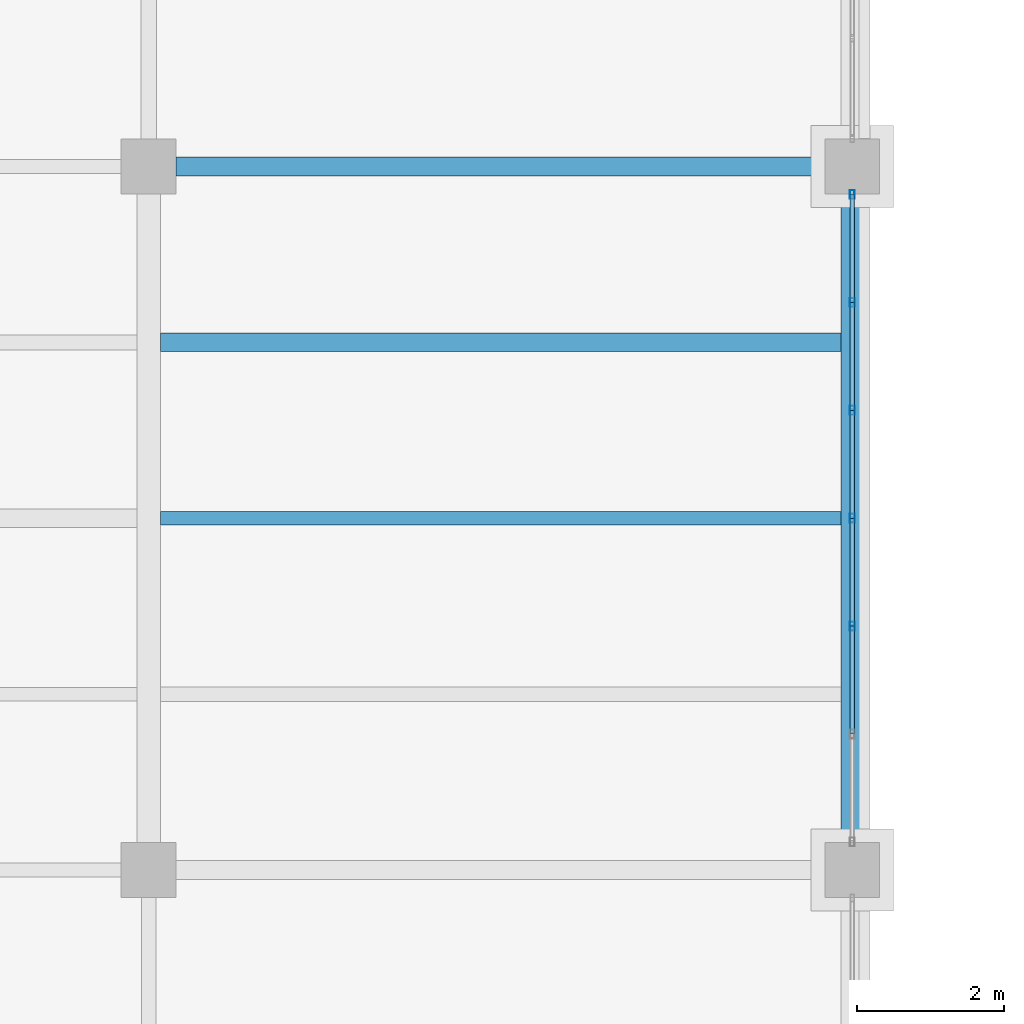
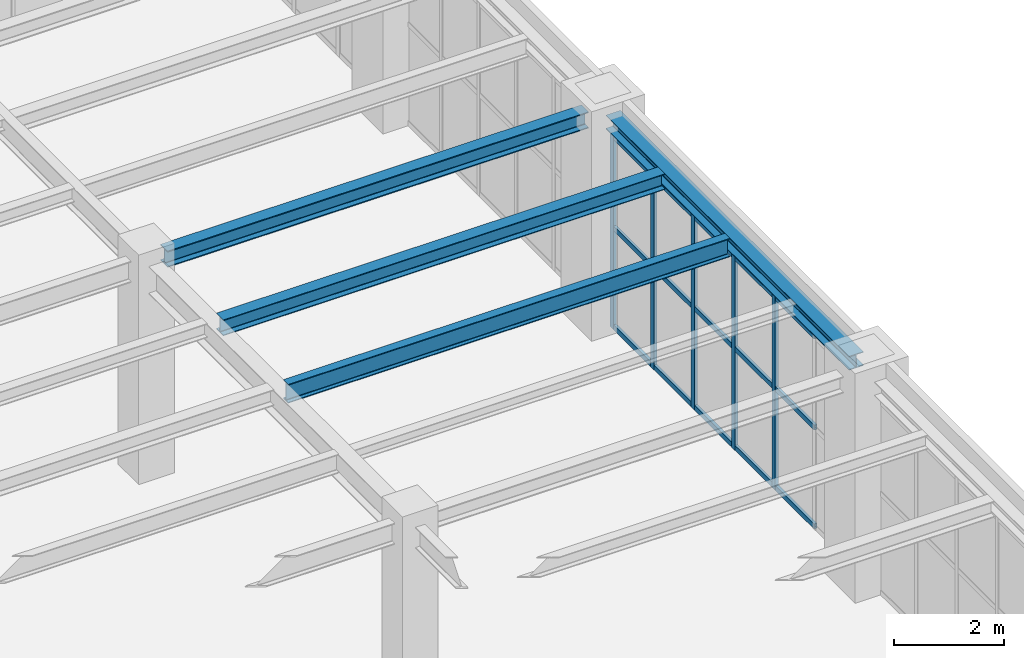
# One storey, part 79 of 174: 20 members, 4 beams, 1 element without a shape of its own.
"""IFC4 building model written with IfcOpenShell, lengths in metres."""

from ifc_helpers import new_model, si_unit, direction, frame, origin, origin_2d, place, context, subcontext, project, spatial, hollow_rectangle, i_section, extrude, material, material_profile, profile_set, type_object, element, aggregate, save


model = new_model("IFC4")

# Units and contexts
model_context = context("Model", 3, precision=1e-05, world=origin(), true_north=direction((0.0, 1.0)))
body_context = subcontext(model_context, "Body", "Model", "MODEL_VIEW")
ifc_project = project(units=[si_unit("LENGTHUNIT", "METRE"), si_unit("AREAUNIT", "SQUARE_METRE"), si_unit("VOLUMEUNIT", "CUBIC_METRE"), si_unit("PLANEANGLEUNIT", "RADIAN"), si_unit("MASSUNIT", "GRAM", prefix="KILO")], contexts=[model_context])

# Site, building, storey
site_placement = place(None, origin())
site = spatial("IfcSite", under=ifc_project, at=site_placement, CompositionType="ELEMENT")
building_placement = place(site_placement, origin())
building = spatial("IfcBuilding", under=site, at=building_placement, Name="Mavantir Sound Aquarium", CompositionType="ELEMENT")
storey_placement = place(building_placement, frame((0.0, 0.0, 5.39990234375)))
storey = spatial("IfcBuildingStorey", under=building, at=storey_placement, Name="L01", CompositionType="ELEMENT", Elevation=5.39990234375)

# Beams
ifc_material_1 = material(Name="Structural Steel ASTM A992 Gr50", Category="steel")
ifc_material_profile_1 = material_profile(ifc_material_1, i_section(OverallWidth=0.304931640625, OverallDepth=0.30810546875, WebThickness=0.010009765625, FlangeThickness=0.015380859375, FilletRadius=0.014892578125, at=origin_2d()), Name="W310X97")
ifc_profile_set_1 = profile_set([ifc_material_profile_1], Name="Structural Steel ASTM A992 Gr50")
beam_type_1 = type_object("IfcBeamType", Name="BM-W310X97-E", PredefinedType="SPANDREL", material=ifc_profile_set_1)
beam_1_placement = place(storey_placement, frame((38.39990234375, 93.574951171875, 4.6220703125), z_axis=(0.0, 1.0, 0.0), x_axis=(-1.0, 0.0, 0.0)))
element("IfcBeam", 1, at=beam_1_placement, inside=storey, type_object=beam_type_1, Name="L01 primary girder SS-31A 1394", PredefinedType="SPANDREL", context=body_context, shape_type="SweptSolid", body=[
    extrude(i_section(OverallWidth=0.304931640625, OverallDepth=0.30810546875, WebThickness=0.010009765625, FlangeThickness=0.015380859375, FilletRadius=0.014892578125, at=origin_2d()), origin(), (0.0, 0.0, 1.0), 8.85009765625),
])
ifc_material_profile_2 = material_profile(ifc_material_1, i_section(OverallWidth=0.257080078125, OverallDepth=0.363037109375, WebThickness=0.012939453125, FlangeThickness=0.021728515625, FilletRadius=0.014892578125, at=origin_2d()), Name="W360X122")
ifc_profile_set_2 = profile_set([ifc_material_profile_2], Name="Structural Steel ASTM A992 Gr50")
beam_type_2 = type_object("IfcBeamType", Name="BM-W360X122-I", PredefinedType="BEAM", material=ifc_profile_set_2)
beam_2_placement = place(storey_placement, frame((29.175048828125, 102.800048828125, 4.594482421875), z_axis=(1.0, 0.0, 0.0), x_axis=(0.0, 1.0, 0.0)))
element("IfcBeam", 2, at=beam_2_placement, inside=storey, type_object=beam_type_2, Name="L01 primary beam SB-36A 1368", PredefinedType="BEAM", context=body_context, shape_type="SweptSolid", body=[
    extrude(i_section(OverallWidth=0.257080078125, OverallDepth=0.363037109375, WebThickness=0.012939453125, FlangeThickness=0.021728515625, FilletRadius=0.014892578125, at=origin_2d()), origin(), (0.0, 0.0, 1.0), 8.849853515625),
])
ifc_material_profile_3 = material_profile(ifc_material_1, i_section(OverallWidth=0.25390625, OverallDepth=0.35302734375, WebThickness=0.009521484375, FlangeThickness=0.016357421875, FilletRadius=0.014892578125, at=origin_2d()), Name="W360X91")
ifc_profile_set_3 = profile_set([ifc_material_profile_3], Name="Structural Steel ASTM A992 Gr50")
beam_type_3 = type_object("IfcBeamType", Name="BM-W360X91-I", PredefinedType="JOIST", material=ifc_profile_set_3)
beam_3_placement = place(storey_placement, frame((28.9619140625, 100.39990234375, 4.599609375), z_axis=(1.0, 0.0, 0.0), x_axis=(0.0, 1.0, 0.0)))
element("IfcBeam", 3, at=beam_3_placement, inside=storey, type_object=beam_type_3, Name="L01 secondary floor joist SJ-36 814", PredefinedType="JOIST", context=body_context, shape_type="SweptSolid", body=[
    extrude(i_section(OverallWidth=0.25390625, OverallDepth=0.35302734375, WebThickness=0.009521484375, FlangeThickness=0.016357421875, FilletRadius=0.014892578125, at=origin_2d()), origin(), (0.0, 0.0, 1.0), 9.28564453125),
])
ifc_material_profile_4 = material_profile(ifc_material_1, i_section(OverallWidth=0.180908203125, OverallDepth=0.4169921875, WebThickness=0.010986328125, FlangeThickness=0.018310546875, FilletRadius=0.014892578125, at=origin_2d()), Name="W410X85")
ifc_profile_set_4 = profile_set([ifc_material_profile_4], Name="Structural Steel ASTM A992 Gr50")
beam_type_4 = type_object("IfcBeamType", Name="BM-W410X85-I", PredefinedType="JOIST", material=ifc_profile_set_4)
beam_4_placement = place(storey_placement, frame((28.9619140625, 98.0, 4.567626953125), z_axis=(1.0, 0.0, 0.0), x_axis=(0.0, 1.0, 0.0)))
element("IfcBeam", 4, at=beam_4_placement, inside=storey, type_object=beam_type_4, Name="L01 secondary floor joist SJ-41 813", PredefinedType="JOIST", context=body_context, shape_type="SweptSolid", body=[
    extrude(i_section(OverallWidth=0.180908203125, OverallDepth=0.4169921875, WebThickness=0.010986328125, FlangeThickness=0.018310546875, FilletRadius=0.014892578125, at=origin_2d()), origin(), (0.0, 0.0, 1.0), 9.28564453125),
])

# Curtain wall, members
ifc_material_2 = material(Name="Anodised Marine Aluminium and Low-E Glass", Category="aluminium")
curtain_wall_type = type_object("IfcCurtainWallType", Name="CW-T18", PredefinedType="USERDEFINED", material=ifc_material_2)
curtain_wall_placement = place(storey_placement, origin())
curtain_wall = element("IfcCurtainWall", 5, at=curtain_wall_placement, inside=storey, type_object=curtain_wall_type, Name="L01 unitised curtain wall CW-18 114", ObjectType="UNITISED GLAZING", PredefinedType="USERDEFINED")
ifc_material_3 = material(Name="Anodised Marine Aluminium 6063-T6", Category="aluminium")
ifc_material_profile_5 = material_profile(ifc_material_3, hollow_rectangle(XDim=0.06494140625, YDim=0.1201171875, WallThickness=0.00390625, at=origin_2d()), Name="ALU-MULLION-120X65")
ifc_profile_set_5 = profile_set([ifc_material_profile_5], Name="Anodised Marine Aluminium 6063-T6")
member_type_1 = type_object("IfcMemberType", Name="CW-MUL-120", PredefinedType="MULLION", material=ifc_profile_set_5)
member_1_placement = place(storey_placement, frame((38.39990234375, 96.527587890625, 0.0), z_axis=(0.0, 0.0, 1.0), x_axis=(1.0, 0.0, 0.0)))
member_1 = element("IfcMember", 6, at=member_1_placement, type_object=member_type_1, Name="CW-L01-114 vertical mullion 3", PredefinedType="MULLION", context=body_context, shape_type="SweptSolid", body=[
    extrude(hollow_rectangle(XDim=0.06494140625, YDim=0.1201171875, WallThickness=0.00390625, at=origin_2d()), origin(), (0.0, 0.0, 1.0), 4.3291015625),
])
member_2_placement = place(storey_placement, frame((38.39990234375, 98.0, 0.0), z_axis=(0.0, 0.0, 1.0), x_axis=(1.0, 0.0, 0.0)))
member_2 = element("IfcMember", 7, at=member_2_placement, type_object=member_type_1, Name="CW-L01-114 vertical mullion 4", PredefinedType="MULLION", context=body_context, shape_type="SweptSolid", body=[
    extrude(hollow_rectangle(XDim=0.06494140625, YDim=0.1201171875, WallThickness=0.00390625, at=origin_2d()), origin(), (0.0, 0.0, 1.0), 4.3291015625),
])
member_3_placement = place(storey_placement, frame((38.39990234375, 99.472412109375, 0.0), z_axis=(0.0, 0.0, 1.0), x_axis=(1.0, 0.0, 0.0)))
member_3 = element("IfcMember", 8, at=member_3_placement, type_object=member_type_1, Name="CW-L01-114 vertical mullion 5", PredefinedType="MULLION", context=body_context, shape_type="SweptSolid", body=[
    extrude(hollow_rectangle(XDim=0.06494140625, YDim=0.1201171875, WallThickness=0.00390625, at=origin_2d()), origin(), (0.0, 0.0, 1.0), 4.3291015625),
])
member_4_placement = place(storey_placement, frame((38.39990234375, 100.944580078125, 0.0), z_axis=(0.0, 0.0, 1.0), x_axis=(1.0, 0.0, 0.0)))
member_4 = element("IfcMember", 9, at=member_4_placement, type_object=member_type_1, Name="CW-L01-114 vertical mullion 6", PredefinedType="MULLION", context=body_context, shape_type="SweptSolid", body=[
    extrude(hollow_rectangle(XDim=0.06494140625, YDim=0.1201171875, WallThickness=0.00390625, at=origin_2d()), origin(), (0.0, 0.0, 1.0), 4.3291015625),
])
member_5_placement = place(storey_placement, frame((38.39990234375, 102.4169921875, 0.0), z_axis=(0.0, 0.0, 1.0), x_axis=(1.0, 0.0, 0.0)))
member_5 = element("IfcMember", 10, at=member_5_placement, type_object=member_type_1, Name="CW-L01-114 vertical mullion 7", PredefinedType="MULLION", context=body_context, shape_type="SweptSolid", body=[
    extrude(hollow_rectangle(XDim=0.06494140625, YDim=0.1201171875, WallThickness=0.00390625, at=origin_2d()), origin(), (0.0, 0.0, 1.0), 4.3291015625),
])
ifc_material_profile_6 = material_profile(ifc_material_3, hollow_rectangle(XDim=0.06005859375, YDim=0.110107421875, WallThickness=0.00390625, at=origin_2d()), Name="ALU-TRANSOM-110X60")
ifc_profile_set_6 = profile_set([ifc_material_profile_6], Name="Anodised Marine Aluminium 6063-T6")
member_type_2 = type_object("IfcMemberType", Name="CW-TRN-110", PredefinedType="USERDEFINED", material=ifc_profile_set_6)
member_6_placement = place(storey_placement, frame((38.39990234375, 95.055419921875, 0.05517578125), z_axis=(0.0, 1.0, 0.0), x_axis=(-1.0, 0.0, 0.0)))
member_6 = element("IfcMember", 11, at=member_6_placement, type_object=member_type_2, Name="CW-L01-114 transom 2.1", ObjectType="TRANSOM", PredefinedType="USERDEFINED", context=body_context, shape_type="SweptSolid", body=[
    extrude(hollow_rectangle(XDim=0.06005859375, YDim=0.110107421875, WallThickness=0.00390625, at=origin_2d()), origin(), (0.0, 0.0, 1.0), 1.47216796875),
])
member_7_placement = place(storey_placement, frame((38.39990234375, 95.055419921875, 2.251220703125), z_axis=(0.0, 1.0, 0.0), x_axis=(-1.0, 0.0, 0.0)))
member_7 = element("IfcMember", 12, at=member_7_placement, type_object=member_type_2, Name="CW-L01-114 transom 2.2", ObjectType="TRANSOM", PredefinedType="USERDEFINED", context=body_context, shape_type="SweptSolid", body=[
    extrude(hollow_rectangle(XDim=0.06005859375, YDim=0.110107421875, WallThickness=0.00390625, at=origin_2d()), origin(), (0.0, 0.0, 1.0), 1.47216796875),
])
member_8_placement = place(storey_placement, frame((38.39990234375, 95.055419921875, 4.274169921875), z_axis=(0.0, 1.0, 0.0), x_axis=(-1.0, 0.0, 0.0)))
member_8 = element("IfcMember", 13, at=member_8_placement, type_object=member_type_2, Name="CW-L01-114 transom 2.3", ObjectType="TRANSOM", PredefinedType="USERDEFINED", context=body_context, shape_type="SweptSolid", body=[
    extrude(hollow_rectangle(XDim=0.06005859375, YDim=0.110107421875, WallThickness=0.00390625, at=origin_2d()), origin(), (0.0, 0.0, 1.0), 1.47216796875),
])
member_9_placement = place(storey_placement, frame((38.39990234375, 96.527587890625, 0.05517578125), z_axis=(0.0, 1.0, 0.0), x_axis=(-1.0, 0.0, 0.0)))
member_9 = element("IfcMember", 14, at=member_9_placement, type_object=member_type_2, Name="CW-L01-114 transom 3.1", ObjectType="TRANSOM", PredefinedType="USERDEFINED", context=body_context, shape_type="SweptSolid", body=[
    extrude(hollow_rectangle(XDim=0.06005859375, YDim=0.110107421875, WallThickness=0.00390625, at=origin_2d()), origin(), (0.0, 0.0, 1.0), 1.472412109375),
])
member_10_placement = place(storey_placement, frame((38.39990234375, 96.527587890625, 2.251220703125), z_axis=(0.0, 1.0, 0.0), x_axis=(-1.0, 0.0, 0.0)))
member_10 = element("IfcMember", 15, at=member_10_placement, type_object=member_type_2, Name="CW-L01-114 transom 3.2", ObjectType="TRANSOM", PredefinedType="USERDEFINED", context=body_context, shape_type="SweptSolid", body=[
    extrude(hollow_rectangle(XDim=0.06005859375, YDim=0.110107421875, WallThickness=0.00390625, at=origin_2d()), origin(), (0.0, 0.0, 1.0), 1.472412109375),
])
member_11_placement = place(storey_placement, frame((38.39990234375, 96.527587890625, 4.274169921875), z_axis=(0.0, 1.0, 0.0), x_axis=(-1.0, 0.0, 0.0)))
member_11 = element("IfcMember", 16, at=member_11_placement, type_object=member_type_2, Name="CW-L01-114 transom 3.3", ObjectType="TRANSOM", PredefinedType="USERDEFINED", context=body_context, shape_type="SweptSolid", body=[
    extrude(hollow_rectangle(XDim=0.06005859375, YDim=0.110107421875, WallThickness=0.00390625, at=origin_2d()), origin(), (0.0, 0.0, 1.0), 1.472412109375),
])
member_12_placement = place(storey_placement, frame((38.39990234375, 98.0, 0.05517578125), z_axis=(0.0, 1.0, 0.0), x_axis=(-1.0, 0.0, 0.0)))
member_12 = element("IfcMember", 17, at=member_12_placement, type_object=member_type_2, Name="CW-L01-114 transom 4.1", ObjectType="TRANSOM", PredefinedType="USERDEFINED", context=body_context, shape_type="SweptSolid", body=[
    extrude(hollow_rectangle(XDim=0.06005859375, YDim=0.110107421875, WallThickness=0.00390625, at=origin_2d()), origin(), (0.0, 0.0, 1.0), 1.472412109375),
])
member_13_placement = place(storey_placement, frame((38.39990234375, 98.0, 2.251220703125), z_axis=(0.0, 1.0, 0.0), x_axis=(-1.0, 0.0, 0.0)))
member_13 = element("IfcMember", 18, at=member_13_placement, type_object=member_type_2, Name="CW-L01-114 transom 4.2", ObjectType="TRANSOM", PredefinedType="USERDEFINED", context=body_context, shape_type="SweptSolid", body=[
    extrude(hollow_rectangle(XDim=0.06005859375, YDim=0.110107421875, WallThickness=0.00390625, at=origin_2d()), origin(), (0.0, 0.0, 1.0), 1.472412109375),
])
member_14_placement = place(storey_placement, frame((38.39990234375, 98.0, 4.274169921875), z_axis=(0.0, 1.0, 0.0), x_axis=(-1.0, 0.0, 0.0)))
member_14 = element("IfcMember", 19, at=member_14_placement, type_object=member_type_2, Name="CW-L01-114 transom 4.3", ObjectType="TRANSOM", PredefinedType="USERDEFINED", context=body_context, shape_type="SweptSolid", body=[
    extrude(hollow_rectangle(XDim=0.06005859375, YDim=0.110107421875, WallThickness=0.00390625, at=origin_2d()), origin(), (0.0, 0.0, 1.0), 1.472412109375),
])
member_15_placement = place(storey_placement, frame((38.39990234375, 99.472412109375, 0.05517578125), z_axis=(0.0, 1.0, 0.0), x_axis=(-1.0, 0.0, 0.0)))
member_15 = element("IfcMember", 20, at=member_15_placement, type_object=member_type_2, Name="CW-L01-114 transom 5.1", ObjectType="TRANSOM", PredefinedType="USERDEFINED", context=body_context, shape_type="SweptSolid", body=[
    extrude(hollow_rectangle(XDim=0.06005859375, YDim=0.110107421875, WallThickness=0.00390625, at=origin_2d()), origin(), (0.0, 0.0, 1.0), 1.47216796875),
])
member_16_placement = place(storey_placement, frame((38.39990234375, 99.472412109375, 2.251220703125), z_axis=(0.0, 1.0, 0.0), x_axis=(-1.0, 0.0, 0.0)))
member_16 = element("IfcMember", 21, at=member_16_placement, type_object=member_type_2, Name="CW-L01-114 transom 5.2", ObjectType="TRANSOM", PredefinedType="USERDEFINED", context=body_context, shape_type="SweptSolid", body=[
    extrude(hollow_rectangle(XDim=0.06005859375, YDim=0.110107421875, WallThickness=0.00390625, at=origin_2d()), origin(), (0.0, 0.0, 1.0), 1.47216796875),
])
member_17_placement = place(storey_placement, frame((38.39990234375, 99.472412109375, 4.274169921875), z_axis=(0.0, 1.0, 0.0), x_axis=(-1.0, 0.0, 0.0)))
member_17 = element("IfcMember", 22, at=member_17_placement, type_object=member_type_2, Name="CW-L01-114 transom 5.3", ObjectType="TRANSOM", PredefinedType="USERDEFINED", context=body_context, shape_type="SweptSolid", body=[
    extrude(hollow_rectangle(XDim=0.06005859375, YDim=0.110107421875, WallThickness=0.00390625, at=origin_2d()), origin(), (0.0, 0.0, 1.0), 1.47216796875),
])
member_18_placement = place(storey_placement, frame((38.39990234375, 100.944580078125, 0.05517578125), z_axis=(0.0, 1.0, 0.0), x_axis=(-1.0, 0.0, 0.0)))
member_18 = element("IfcMember", 23, at=member_18_placement, type_object=member_type_2, Name="CW-L01-114 transom 6.1", ObjectType="TRANSOM", PredefinedType="USERDEFINED", context=body_context, shape_type="SweptSolid", body=[
    extrude(hollow_rectangle(XDim=0.06005859375, YDim=0.110107421875, WallThickness=0.00390625, at=origin_2d()), origin(), (0.0, 0.0, 1.0), 1.472412109375),
])
member_19_placement = place(storey_placement, frame((38.39990234375, 100.944580078125, 2.251220703125), z_axis=(0.0, 1.0, 0.0), x_axis=(-1.0, 0.0, 0.0)))
member_19 = element("IfcMember", 24, at=member_19_placement, type_object=member_type_2, Name="CW-L01-114 transom 6.2", ObjectType="TRANSOM", PredefinedType="USERDEFINED", context=body_context, shape_type="SweptSolid", body=[
    extrude(hollow_rectangle(XDim=0.06005859375, YDim=0.110107421875, WallThickness=0.00390625, at=origin_2d()), origin(), (0.0, 0.0, 1.0), 1.472412109375),
])
member_20_placement = place(storey_placement, frame((38.39990234375, 100.944580078125, 4.274169921875), z_axis=(0.0, 1.0, 0.0), x_axis=(-1.0, 0.0, 0.0)))
member_20 = element("IfcMember", 25, at=member_20_placement, type_object=member_type_2, Name="CW-L01-114 transom 6.3", ObjectType="TRANSOM", PredefinedType="USERDEFINED", context=body_context, shape_type="SweptSolid", body=[
    extrude(hollow_rectangle(XDim=0.06005859375, YDim=0.110107421875, WallThickness=0.00390625, at=origin_2d()), origin(), (0.0, 0.0, 1.0), 1.472412109375),
])
aggregate(curtain_wall, [member_1, member_2, member_3, member_4, member_5, member_6, member_7, member_8, member_9, member_10, member_11, member_12, member_13, member_14, member_15, member_16, member_17, member_18, member_19, member_20])

save(model, "model.ifc")
